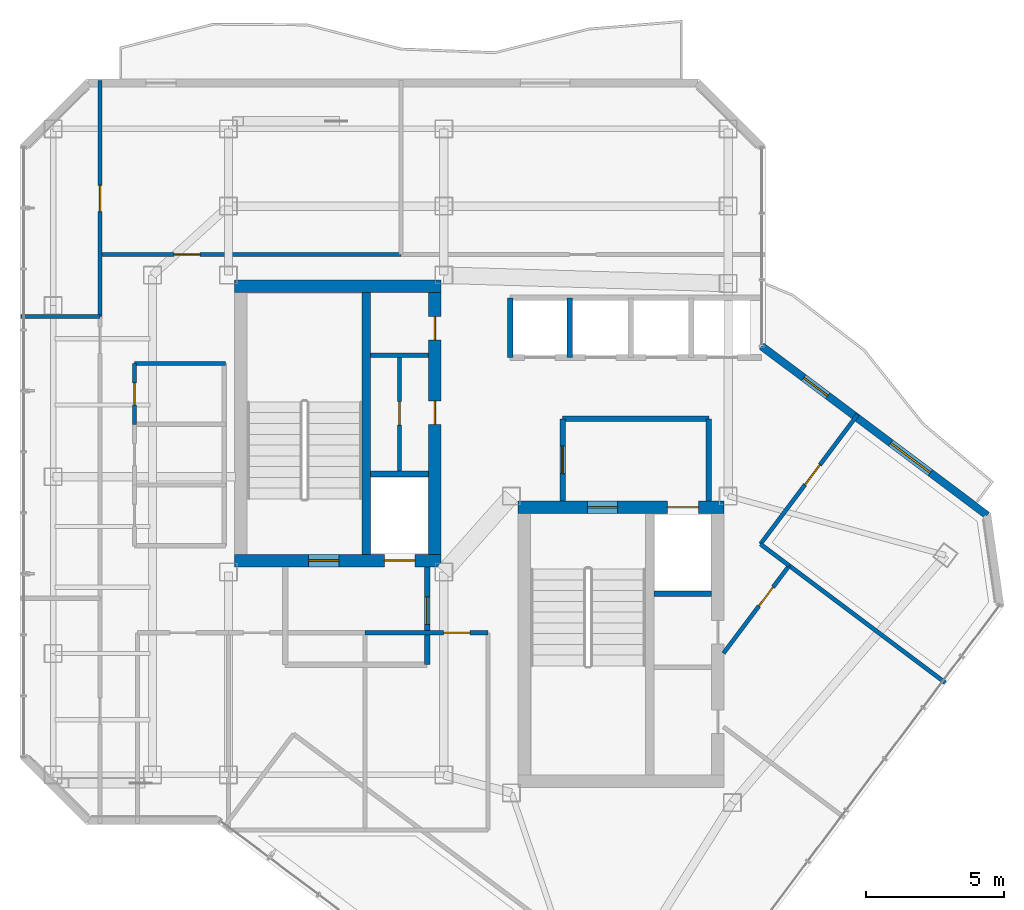
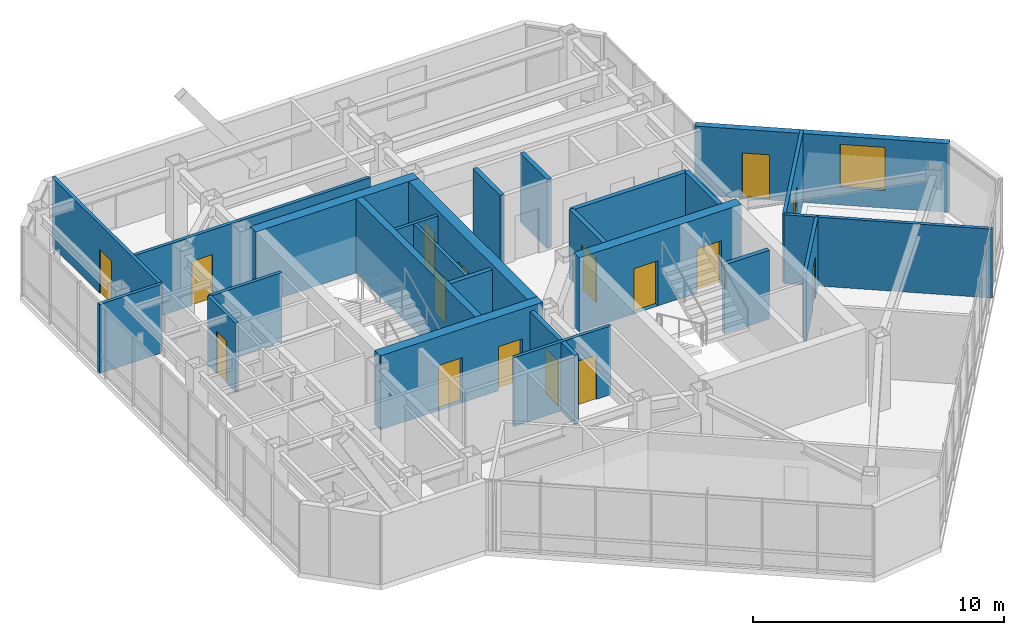
# One storey, part 18 of 22: 26 walls, 16 doors, 1 window, 17 openings.
"""IFC4 building model written with IfcOpenShell, lengths in metres."""

from ifc_helpers import new_model, si_unit, direction, frame, frame_2d, origin, place, context, subcontext, project, spatial, rectangle, extrude, material, layer, layer_set, type_object, element, fill, save


model = new_model("IFC4")

# Units and contexts
model_context = context("Model", 3, precision=1e-05, world=origin(), true_north=direction((0.0, 1.0)))
body_context = subcontext(model_context, "Body", "Model", "MODEL_VIEW")
ifc_project = project(units=[si_unit("LENGTHUNIT", "METRE"), si_unit("AREAUNIT", "SQUARE_METRE"), si_unit("VOLUMEUNIT", "CUBIC_METRE"), si_unit("PLANEANGLEUNIT", "RADIAN"), si_unit("MASSUNIT", "GRAM", prefix="KILO")], contexts=[model_context])

# Site, building, storey
site_placement = place(None, origin())
site = spatial("IfcSite", under=ifc_project, at=site_placement, CompositionType="ELEMENT")
building_placement = place(site_placement, origin())
building = spatial("IfcBuilding", under=site, at=building_placement, Name="Hatsunagi Terrace Concourse", CompositionType="ELEMENT")
storey_placement = place(building_placement, frame((0.0, 0.0, 243.14990234375)))
storey = spatial("IfcBuildingStorey", under=building, at=storey_placement, Name="L64", CompositionType="ELEMENT", Elevation=243.14990234375)

# Wall, openings, doors
ifc_material_1 = material(Name="Concrete Fc42", Category="concrete")
ifc_layer_1 = layer(ifc_material_1, 0.449951171875)
ifc_layer_set_1 = layer_set([ifc_layer_1], Name="CoreShearWall_Fc42_450")
wall_type_1 = type_object("IfcWallType", Name="CoreShearWall_Fc42_450", PredefinedType="SHEAR", material=ifc_layer_set_1)
wall_1_placement = place(storey_placement, frame((25.77001953125, 32.965087890625, 0.0), z_axis=(0.0, 0.0, 1.0), x_axis=(1.0, 0.0, 0.0)))
wall_1 = element("IfcWall", 1, at=wall_1_placement, inside=storey, type_object=wall_type_1, Name="Core A Shear Wall S L64", PredefinedType="SHEAR", context=body_context, shape_type="SweptSolid", body=[
    extrude(rectangle(XDim=7.47998046875, YDim=0.449951171875, at=frame_2d((3.739990234375, 0.0))), origin(), (0.0, 0.0, 1.0), 3.60009765625),
])
opening_1_placement = place(wall_1_placement, frame((2.679931640625, 0.0, 0.0)))
opening_1 = element("IfcOpeningElement", 2, at=opening_1_placement, cuts=wall_1, Name="Opening DR-110S", PredefinedType="OPENING", context=body_context, shape_type="SweptSolid", body=[
    extrude(rectangle(XDim=1.10009765625, YDim=2.199951171875, at=frame_2d((0.550048828125, 1.10009765625))), frame((0.0, 0.23486328125, 0.0), z_axis=(0.0, -1.0, 0.0), x_axis=(1.0, 0.0, 0.0)), (0.0, 0.0, 1.0), 0.469970703125),
])
opening_2_placement = place(wall_1_placement, frame((5.429931640625, 0.0, 0.0)))
opening_2 = element("IfcOpeningElement", 3, at=opening_2_placement, cuts=wall_1, Name="Opening LD-01", PredefinedType="OPENING", context=body_context, shape_type="SweptSolid", body=[
    extrude(rectangle(XDim=1.10009765625, YDim=2.14990234375, at=frame_2d((0.550048828125, 1.074951171875))), frame((0.0, 0.23486328125, 0.0), z_axis=(0.0, -1.0, 0.0), x_axis=(1.0, 0.0, 0.0)), (0.0, 0.0, 1.0), 0.469970703125),
])
ifc_material_2 = material(Name="Stainless steel", Category="steel")
door_type_1 = type_object("IfcDoorType", Name="LiftLandingDoor_LD01", OperationType="SLIDING_TO_LEFT", PredefinedType="USERDEFINED", material=ifc_material_2)
door_1_placement = place(opening_2_placement, origin())
door_1 = element("IfcDoor", 4, at=door_1_placement, inside=storey, type_object=door_type_1, Name="Lift landing door FF-01 L64", ObjectType="SLIDING_LANDING_DOOR", OperationType="SLIDING_TO_LEFT", OverallHeight=2.14990234375, OverallWidth=1.10009765625, PredefinedType="USERDEFINED", context=body_context, shape_type="SweptSolid", body=[
    extrude(rectangle(XDim=1.10009765625, YDim=2.14990234375, at=frame_2d((0.550048828125, 1.074951171875))), frame((0.0, 0.02490234375, 0.0), z_axis=(0.0, -1.0, 0.0), x_axis=(1.0, 0.0, 0.0)), (0.0, 0.0, 1.0), 0.050048828125),
])
fill(opening_2, door_1)
ifc_material_3 = material(Name="Painted steel", Category="steel")
door_type_2 = type_object("IfcDoorType", Name="StairFireDoor_EI60_1100", OperationType="NOTDEFINED", PredefinedType="DOOR", material=ifc_material_3)
door_2_placement = place(opening_1_placement, origin())
door_2 = element("IfcDoor", 5, at=door_2_placement, inside=storey, type_object=door_type_2, Name="Stair ST-A Exit Door L64", OperationType="SINGLE_SWING_LEFT", OverallHeight=2.199951171875, OverallWidth=1.10009765625, PredefinedType="DOOR", context=body_context, shape_type="SweptSolid", body=[
    extrude(rectangle(XDim=1.10009765625, YDim=2.199951171875, at=frame_2d((0.550048828125, 1.10009765625))), frame((0.0, 0.02490234375, 0.0), z_axis=(0.0, -1.0, 0.0), x_axis=(1.0, 0.0, 0.0)), (0.0, 0.0, 1.0), 0.050048828125),
])
fill(opening_1, door_2)

# Wall
wall_2_placement = place(storey_placement, frame((25.77001953125, 42.89501953125, 0.0), z_axis=(0.0, 0.0, 1.0), x_axis=(1.0, 0.0, 0.0)))
element("IfcWall", 6, at=wall_2_placement, inside=storey, type_object=wall_type_1, Name="Core A Shear Wall N L64", PredefinedType="SHEAR", context=body_context, shape_type="SweptSolid", body=[
    extrude(rectangle(XDim=7.47998046875, YDim=0.449951171875, at=frame_2d((3.739990234375, 0.0))), origin(), (0.0, 0.0, 1.0), 3.60009765625),
])

# Wall, openings, doors
wall_3_placement = place(storey_placement, frame((33.02490234375, 33.18994140625, 0.0), z_axis=(0.0, 0.0, 1.0), x_axis=(0.0, 1.0, 0.0)))
wall_3 = element("IfcWall", 7, at=wall_3_placement, inside=storey, type_object=wall_type_1, Name="Core A Shear Wall E L64", PredefinedType="SHEAR", context=body_context, shape_type="SweptSolid", body=[
    extrude(rectangle(XDim=9.47998046875, YDim=0.449951171875, at=frame_2d((4.739990234375, 0.0))), origin(), (0.0, 0.0, 1.0), 3.60009765625),
])
opening_3_placement = place(wall_3_placement, frame((4.7099609375, 0.0, 0.0)))
opening_3 = element("IfcOpeningElement", 8, at=opening_3_placement, cuts=wall_3, Name="Opening DR-085", PredefinedType="OPENING", context=body_context, shape_type="SweptSolid", body=[
    extrude(rectangle(XDim=0.85009765625, YDim=2.080078125, at=frame_2d((0.425048828125, 1.0400390625))), frame((0.0, 0.23486328125, 0.0), z_axis=(0.0, -1.0, 0.0), x_axis=(1.0, 0.0, 0.0)), (0.0, 0.0, 1.0), 0.469970703125),
])
opening_4_placement = place(wall_3_placement, frame((7.760009765625, 0.0, 0.0)))
opening_4 = element("IfcOpeningElement", 9, at=opening_4_placement, cuts=wall_3, Name="Opening DR-085", PredefinedType="OPENING", context=body_context, shape_type="SweptSolid", body=[
    extrude(rectangle(XDim=0.85009765625, YDim=2.080078125, at=frame_2d((0.425048828125, 1.0400390625))), frame((0.0, 0.23486328125, 0.0), z_axis=(0.0, -1.0, 0.0), x_axis=(1.0, 0.0, 0.0)), (0.0, 0.0, 1.0), 0.469970703125),
])
ifc_material_4 = material(Name="Painted steel", Category="steel")
door_type_3 = type_object("IfcDoorType", Name="RiserAccessDoor_EI60_850", OperationType="NOTDEFINED", PredefinedType="DOOR", material=ifc_material_4)
door_3_placement = place(opening_3_placement, origin())
door_3 = element("IfcDoor", 10, at=door_3_placement, inside=storey, type_object=door_type_3, Name="Core A Riser Door L64-1", OperationType="SINGLE_SWING_LEFT", OverallHeight=2.080078125, OverallWidth=0.85009765625, PredefinedType="DOOR", context=body_context, shape_type="SweptSolid", body=[
    extrude(rectangle(XDim=0.85009765625, YDim=2.080078125, at=frame_2d((0.425048828125, 1.0400390625))), frame((0.0, 0.02490234375, 0.0), z_axis=(0.0, -1.0, 0.0), x_axis=(1.0, 0.0, 0.0)), (0.0, 0.0, 1.0), 0.050048828125),
])
fill(opening_3, door_3)
door_4_placement = place(opening_4_placement, origin())
door_4 = element("IfcDoor", 11, at=door_4_placement, inside=storey, type_object=door_type_3, Name="Core A Riser Door L64-2", OperationType="SINGLE_SWING_LEFT", OverallHeight=2.080078125, OverallWidth=0.85009765625, PredefinedType="DOOR", context=body_context, shape_type="SweptSolid", body=[
    extrude(rectangle(XDim=0.85009765625, YDim=2.080078125, at=frame_2d((0.425048828125, 1.0400390625))), frame((0.0, 0.02490234375, 0.0), z_axis=(0.0, -1.0, 0.0), x_axis=(1.0, 0.0, 0.0)), (0.0, 0.0, 1.0), 0.050048828125),
])
fill(opening_4, door_4)

wall_4_placement = place(storey_placement, frame((36.0400390625, 34.89501953125, 0.0), z_axis=(0.0, 0.0, 1.0), x_axis=(1.0, 0.0, 0.0)))
wall_4 = element("IfcWall", 12, at=wall_4_placement, inside=storey, type_object=wall_type_1, Name="Core B Shear Wall N L64", PredefinedType="SHEAR", context=body_context, shape_type="SweptSolid", body=[
    extrude(rectangle(XDim=7.4599609375, YDim=0.449951171875, at=frame_2d((3.72998046875, 0.0))), origin(), (0.0, 0.0, 1.0), 3.60009765625),
])
opening_5_placement = place(wall_4_placement, frame((2.510009765625, 0.0, 0.0)))
opening_5 = element("IfcOpeningElement", 13, at=opening_5_placement, cuts=wall_4, Name="Opening DR-110S", PredefinedType="OPENING", context=body_context, shape_type="SweptSolid", body=[
    extrude(rectangle(XDim=1.10009765625, YDim=2.199951171875, at=frame_2d((0.550048828125, 1.10009765625))), frame((0.0, 0.23486328125, 0.0), z_axis=(0.0, -1.0, 0.0), x_axis=(1.0, 0.0, 0.0)), (0.0, 0.0, 1.0), 0.469970703125),
])
opening_6_placement = place(wall_4_placement, frame((5.409912109375, 0.0, 0.0)))
opening_6 = element("IfcOpeningElement", 14, at=opening_6_placement, cuts=wall_4, Name="Opening LD-02", PredefinedType="OPENING", context=body_context, shape_type="SweptSolid", body=[
    extrude(rectangle(XDim=1.1201171875, YDim=2.14990234375, at=frame_2d((0.56005859375, 1.074951171875))), frame((0.0, 0.23486328125, 0.0), z_axis=(0.0, -1.0, 0.0), x_axis=(1.0, 0.0, 0.0)), (0.0, 0.0, 1.0), 0.469970703125),
])
ifc_material_5 = material(Name="Stainless steel", Category="steel")
door_type_4 = type_object("IfcDoorType", Name="LiftLandingDoor_LD02", OperationType="SLIDING_TO_RIGHT", PredefinedType="USERDEFINED", material=ifc_material_5)
door_5_placement = place(opening_6_placement, origin())
door_5 = element("IfcDoor", 15, at=door_5_placement, inside=storey, type_object=door_type_4, Name="Lift landing door FF-02 L64", ObjectType="SLIDING_LANDING_DOOR", OperationType="SLIDING_TO_RIGHT", OverallHeight=2.14990234375, OverallWidth=1.1201171875, PredefinedType="USERDEFINED", context=body_context, shape_type="SweptSolid", body=[
    extrude(rectangle(XDim=1.1201171875, YDim=2.14990234375, at=frame_2d((0.56005859375, 1.074951171875))), frame((0.0, 0.02490234375, 0.0), z_axis=(0.0, -1.0, 0.0), x_axis=(1.0, 0.0, 0.0)), (0.0, 0.0, 1.0), 0.050048828125),
])
fill(opening_6, door_5)
door_6_placement = place(opening_5_placement, origin())
door_6 = element("IfcDoor", 16, at=door_6_placement, inside=storey, type_object=door_type_2, Name="Stair ST-B Exit Door L64", OperationType="SINGLE_SWING_RIGHT", OverallHeight=2.199951171875, OverallWidth=1.10009765625, PredefinedType="DOOR", context=body_context, shape_type="SweptSolid", body=[
    extrude(rectangle(XDim=1.10009765625, YDim=2.199951171875, at=frame_2d((0.550048828125, 1.10009765625))), frame((0.0, 0.02490234375, 0.0), z_axis=(0.0, -1.0, 0.0), x_axis=(1.0, 0.0, 0.0)), (0.0, 0.0, 1.0), 0.050048828125),
])
fill(opening_5, door_6)

# Wall
ifc_material_6 = material(Name="Concrete Fc48", Category="concrete")
ifc_layer_2 = layer(ifc_material_6, 0.300048828125)
ifc_layer_set_2 = layer_set([ifc_layer_2], Name="CoreStairDivider_Fc48_300")
wall_type_2 = type_object("IfcWallType", Name="CoreStairDivider_Fc48_300", PredefinedType="SHEAR", material=ifc_layer_set_2)
wall_5_placement = place(storey_placement, frame((30.5400390625, 33.18994140625, 0.0), z_axis=(0.0, 0.0, 1.0), x_axis=(0.0, 1.0, 0.0)))
element("IfcWall", 17, at=wall_5_placement, inside=storey, type_object=wall_type_2, Name="Core A Shear Wall D L64", PredefinedType="SHEAR", context=body_context, shape_type="SweptSolid", body=[
    extrude(rectangle(XDim=9.47998046875, YDim=0.300048828125, at=frame_2d((4.739990234375, 0.0))), origin(), (0.0, 0.0, 1.0), 3.60009765625),
])

# Wall, opening, door
ifc_material_7 = material(Name="Acoustic mineral board", Category="gypsum")
ifc_layer_3 = layer(ifc_material_7, 0.14990234375)
ifc_layer_set_3 = layer_set([ifc_layer_3], Name="PartitionWall_EI60_150")
wall_type_3 = type_object("IfcWallType", Name="PartitionWall_EI60_150", PredefinedType="PARTITIONING", material=ifc_layer_set_3)
wall_6_placement = place(storey_placement, frame((31.75, 36.179931640625, 0.0), z_axis=(0.0, 0.0, 1.0), x_axis=(0.0, 1.0, 0.0)))
wall_6 = element("IfcWall", 18, at=wall_6_placement, inside=storey, type_object=wall_type_3, Name="Interior Partition IW-L64-002", PredefinedType="PARTITIONING", context=body_context, shape_type="SweptSolid", body=[
    extrude(rectangle(XDim=4.239990234375, YDim=0.14990234375, at=frame_2d((2.1201171875, 0.0))), origin(), (0.0, 0.0, 1.0), 3.35009765625),
])
opening_7_placement = place(wall_6_placement, frame((1.695068359375, 0.0, 0.0)))
opening_7 = element("IfcOpeningElement", 19, at=opening_7_placement, cuts=wall_6, Name="Opening DR-085", PredefinedType="OPENING", context=body_context, shape_type="SweptSolid", body=[
    extrude(rectangle(XDim=0.85009765625, YDim=2.080078125, at=frame_2d((0.425048828125, 1.0400390625))), frame((0.0, 0.0849609375, 0.0), z_axis=(0.0, -1.0, 0.0), x_axis=(1.0, 0.0, 0.0)), (0.0, 0.0, 1.0), 0.169921875),
])
door_7_placement = place(opening_7_placement, origin())
door_7 = element("IfcDoor", 20, at=door_7_placement, inside=storey, type_object=door_type_3, Name="Core A Sub-Riser Door L64", OperationType="SINGLE_SWING_LEFT", OverallHeight=2.080078125, OverallWidth=0.85009765625, PredefinedType="DOOR", context=body_context, shape_type="SweptSolid", body=[
    extrude(rectangle(XDim=0.85009765625, YDim=2.080078125, at=frame_2d((0.425048828125, 1.0400390625))), frame((0.0, 0.02490234375, 0.0), z_axis=(0.0, -1.0, 0.0), x_axis=(1.0, 0.0, 0.0)), (0.0, 0.0, 1.0), 0.050048828125),
])
fill(opening_7, door_7)

# Walls
wall_7_placement = place(storey_placement, frame((30.699951171875, 40.39990234375, 0.0), z_axis=(0.0, 0.0, 1.0), x_axis=(1.0, 0.0, 0.0)))
element("IfcWall", 21, at=wall_7_placement, inside=storey, type_object=wall_type_3, Name="Interior Partition IW-L64-003", PredefinedType="PARTITIONING", context=body_context, shape_type="SweptSolid", body=[
    extrude(rectangle(XDim=2.10009765625, YDim=0.14990234375, at=frame_2d((1.050048828125, 0.0))), origin(), (0.0, 0.0, 1.0), 3.35009765625),
])
wall_8_placement = place(storey_placement, frame((22.14990234375, 40.10009765625, 0.0), z_axis=(0.0, 0.0, 1.0), x_axis=(1.0, 0.0, 0.0)))
element("IfcWall", 22, at=wall_8_placement, inside=storey, type_object=wall_type_3, Name="Interior Partition IW-L64-019", PredefinedType="PARTITIONING", context=body_context, shape_type="SweptSolid", body=[
    extrude(rectangle(XDim=3.300048828125, YDim=0.14990234375, at=frame_2d((1.64990234375, 0.0))), origin(), (0.0, 0.0, 1.0), 3.35009765625),
])

# Wall, opening, door
wall_9_placement = place(storey_placement, frame((22.14990234375, 37.89990234375, 0.0), z_axis=(0.0, 0.0, 1.0), x_axis=(0.0, 1.0, 0.0)))
wall_9 = element("IfcWall", 23, at=wall_9_placement, inside=storey, type_object=wall_type_3, Name="Interior Partition IW-L64-025", PredefinedType="PARTITIONING", context=body_context, shape_type="SweptSolid", body=[
    extrude(rectangle(XDim=2.2001953125, YDim=0.14990234375, at=frame_2d((1.10009765625, 0.0))), origin(), (0.0, 0.0, 1.0), 3.35009765625),
])
opening_8_placement = place(wall_9_placement, frame((0.699951171875, 0.0, 0.0)))
opening_8 = element("IfcOpeningElement", 24, at=opening_8_placement, cuts=wall_9, Name="Opening DR-080", PredefinedType="OPENING", context=body_context, shape_type="SweptSolid", body=[
    extrude(rectangle(XDim=0.800048828125, YDim=2.06005859375, at=frame_2d((0.39990234375, 1.030029296875))), frame((0.0, 0.0849609375, 0.0), z_axis=(0.0, -1.0, 0.0), x_axis=(1.0, 0.0, 0.0)), (0.0, 0.0, 1.0), 0.169921875),
])
ifc_material_8 = material(Name="Hardwood timber", Category="wood")
door_type_5 = type_object("IfcDoorType", Name="BathroomDoor_800", OperationType="NOTDEFINED", PredefinedType="DOOR", material=ifc_material_8)
door_8_placement = place(opening_8_placement, origin())
door_8 = element("IfcDoor", 25, at=door_8_placement, inside=storey, type_object=door_type_5, Name="Male Restroom Door L64", OperationType="SINGLE_SWING_RIGHT", OverallHeight=2.06005859375, OverallWidth=0.800048828125, PredefinedType="DOOR", context=body_context, shape_type="SweptSolid", body=[
    extrude(rectangle(XDim=0.800048828125, YDim=2.06005859375, at=frame_2d((0.39990234375, 1.030029296875))), frame((0.0, 0.02490234375, 0.0), z_axis=(0.0, -1.0, 0.0), x_axis=(1.0, 0.0, 0.0)), (0.0, 0.0, 1.0), 0.050048828125),
])
fill(opening_8, door_8)

wall_10_placement = place(storey_placement, frame((30.5, 30.35009765625, 0.0), z_axis=(0.0, 0.0, 1.0), x_axis=(1.0, 0.0, 0.0)))
wall_10 = element("IfcWall", 26, at=wall_10_placement, inside=storey, type_object=wall_type_3, Name="Interior Partition IW-L64-031", PredefinedType="PARTITIONING", context=body_context, shape_type="SweptSolid", body=[
    extrude(rectangle(XDim=4.449951171875, YDim=0.14990234375, at=frame_2d((2.22509765625, 0.0))), origin(), (0.0, 0.0, 1.0), 3.35009765625),
])
opening_9_placement = place(wall_10_placement, frame((2.845947265625, 0.0, 0.0)))
opening_9 = element("IfcOpeningElement", 27, at=opening_9_placement, cuts=wall_10, Name="Opening DR-095", PredefinedType="OPENING", context=body_context, shape_type="SweptSolid", body=[
    extrude(rectangle(XDim=0.949951171875, YDim=2.14990234375, at=frame_2d((0.47509765625, 1.074951171875))), frame((0.0, 0.0849609375, 0.0), z_axis=(0.0, -1.0, 0.0), x_axis=(1.0, 0.0, 0.0)), (0.0, 0.0, 1.0), 0.169921875),
])
ifc_material_9 = material(Name="Hardwood timber", Category="wood")
door_type_6 = type_object("IfcDoorType", Name="InteriorSuiteDoor_EI30_950", OperationType="NOTDEFINED", PredefinedType="DOOR", material=ifc_material_9)
door_9_placement = place(opening_9_placement, origin())
door_9 = element("IfcDoor", 28, at=door_9_placement, inside=storey, type_object=door_type_6, Name="Client Consultation Room L64-RECL2 Door", OperationType="SINGLE_SWING_RIGHT", OverallHeight=2.14990234375, OverallWidth=0.949951171875, PredefinedType="DOOR", context=body_context, shape_type="SweptSolid", body=[
    extrude(rectangle(XDim=0.949951171875, YDim=2.14990234375, at=frame_2d((0.47509765625, 1.074951171875))), frame((0.0, 0.02490234375, 0.0), z_axis=(0.0, -1.0, 0.0), x_axis=(1.0, 0.0, 0.0)), (0.0, 0.0, 1.0), 0.050048828125),
])
fill(opening_9, door_9)

# Wall
wall_11_placement = place(storey_placement, frame((18.0400390625, 41.800048828125, 0.0), z_axis=(0.0, 0.0, 1.0), x_axis=(1.0, 0.0, 0.0)))
element("IfcWall", 29, at=wall_11_placement, inside=storey, type_object=wall_type_3, Name="Interior Partition IW-L64-035", PredefinedType="PARTITIONING", context=body_context, shape_type="SweptSolid", body=[
    extrude(rectangle(XDim=2.85986328125, YDim=0.14990234375, at=frame_2d((1.429931640625, 0.0))), origin(), (0.0, 0.0, 1.0), 3.35009765625),
])

# Wall, opening, door
wall_12_placement = place(storey_placement, frame((20.89990234375, 41.800048828125, 0.0), z_axis=(0.0, 0.0, 1.0), x_axis=(0.0, 1.0, 0.0)))
wall_12 = element("IfcWall", 30, at=wall_12_placement, inside=storey, type_object=wall_type_3, Name="Interior Partition IW-L64-037", PredefinedType="PARTITIONING", context=body_context, shape_type="SweptSolid", body=[
    extrude(rectangle(XDim=8.56005859375, YDim=0.14990234375, at=frame_2d((4.280029296875, 0.0))), origin(), (0.0, 0.0, 1.0), 3.35009765625),
])
opening_10_placement = place(wall_12_placement, frame((3.804931640625, 0.0, 0.0)))
opening_10 = element("IfcOpeningElement", 31, at=opening_10_placement, cuts=wall_12, Name="Opening DR-095", PredefinedType="OPENING", context=body_context, shape_type="SweptSolid", body=[
    extrude(rectangle(XDim=0.949951171875, YDim=2.14990234375, at=frame_2d((0.47509765625, 1.074951171875))), frame((0.0, 0.0849609375, 0.0), z_axis=(0.0, -1.0, 0.0), x_axis=(1.0, 0.0, 0.0)), (0.0, 0.0, 1.0), 0.169921875),
])
door_10_placement = place(opening_10_placement, origin())
door_10 = element("IfcDoor", 32, at=door_10_placement, inside=storey, type_object=door_type_6, Name="Design Studio L64-OW3 Door", OperationType="SINGLE_SWING_RIGHT", OverallHeight=2.14990234375, OverallWidth=0.949951171875, PredefinedType="DOOR", context=body_context, shape_type="SweptSolid", body=[
    extrude(rectangle(XDim=0.949951171875, YDim=2.14990234375, at=frame_2d((0.47509765625, 1.074951171875))), frame((0.0, 0.02490234375, 0.0), z_axis=(0.0, -1.0, 0.0), x_axis=(1.0, 0.0, 0.0)), (0.0, 0.0, 1.0), 0.050048828125),
])
fill(opening_10, door_10)

wall_13_placement = place(storey_placement, frame((20.89990234375, 44.050048828125, 0.0), z_axis=(0.0, 0.0, 1.0), x_axis=(1.0, 0.0, 0.0)))
wall_13 = element("IfcWall", 33, at=wall_13_placement, inside=storey, type_object=wall_type_3, Name="Interior Partition IW-L64-038", PredefinedType="PARTITIONING", context=body_context, shape_type="SweptSolid", body=[
    extrude(rectangle(XDim=10.900146484375, YDim=0.14990234375, at=frame_2d((5.4501953125, 0.0))), origin(), (0.0, 0.0, 1.0), 3.35009765625),
])
opening_11_placement = place(wall_13_placement, frame((2.677978515625, 0.0, 0.0)))
opening_11 = element("IfcOpeningElement", 34, at=opening_11_placement, cuts=wall_13, Name="Opening DR-095", PredefinedType="OPENING", context=body_context, shape_type="SweptSolid", body=[
    extrude(rectangle(XDim=0.949951171875, YDim=2.14990234375, at=frame_2d((0.47509765625, 1.074951171875))), frame((0.0, 0.0849609375, 0.0), z_axis=(0.0, -1.0, 0.0), x_axis=(1.0, 0.0, 0.0)), (0.0, 0.0, 1.0), 0.169921875),
])
door_11_placement = place(opening_11_placement, origin())
door_11 = element("IfcDoor", 35, at=door_11_placement, inside=storey, type_object=door_type_6, Name="Boardroom L64-ON1 Door", OperationType="SINGLE_SWING_LEFT", OverallHeight=2.14990234375, OverallWidth=0.949951171875, PredefinedType="DOOR", context=body_context, shape_type="SweptSolid", body=[
    extrude(rectangle(XDim=0.949951171875, YDim=2.14990234375, at=frame_2d((0.47509765625, 1.074951171875))), frame((0.0, 0.02490234375, 0.0), z_axis=(0.0, -1.0, 0.0), x_axis=(1.0, 0.0, 0.0)), (0.0, 0.0, 1.0), 0.050048828125),
])
fill(opening_11, door_11)

# Wall
wall_14_placement = place(storey_placement, frame((45.860107421875, 32.780029296875, 0.0), z_axis=(0.0, 0.0, 1.0), x_axis=(0.799991700537, -0.600011065791, 0.0)))
element("IfcWall", 36, at=wall_14_placement, inside=storey, type_object=wall_type_3, Name="Interior Partition IW-L64-042", PredefinedType="PARTITIONING", context=body_context, shape_type="SweptSolid", body=[
    extrude(rectangle(XDim=7.06005859375, YDim=0.14990234375, at=frame_2d((3.530029296875, 0.0))), origin(), (0.0, 0.0, 1.0), 3.35009765625),
])

# Wall, opening, door
wall_15_placement = place(storey_placement, frame((43.47998046875, 29.60693359375, 0.0), z_axis=(0.0, 0.0, 1.0), x_axis=(0.600049238723, 0.79996306859, 0.0)))
wall_15 = element("IfcWall", 37, at=wall_15_placement, inside=storey, type_object=wall_type_3, Name="Interior Partition IW-L64-043", PredefinedType="PARTITIONING", context=body_context, shape_type="SweptSolid", body=[
    extrude(rectangle(XDim=3.966552734375, YDim=0.14990234375, at=frame_2d((1.9833984375, 0.0))), origin(), (0.0, 0.0, 1.0), 3.35009765625),
])
opening_12_placement = place(wall_15_placement, frame((2.14697265625, 0.0, 0.0)))
opening_12 = element("IfcOpeningElement", 38, at=opening_12_placement, cuts=wall_15, Name="Opening DR-085", PredefinedType="OPENING", context=body_context, shape_type="SweptSolid", body=[
    extrude(rectangle(XDim=0.85009765625, YDim=2.080078125, at=frame_2d((0.425048828125, 1.0400390625))), frame((0.0, 0.0849609375, 0.0), z_axis=(0.0, -1.0, 0.0), x_axis=(1.0, 0.0, 0.0)), (0.0, 0.0, 1.0), 0.169921875),
])
door_12_placement = place(opening_12_placement, origin())
door_12 = element("IfcDoor", 39, at=door_12_placement, inside=storey, type_object=door_type_3, Name="Research Focus Suite L64-OSE1 Door", OperationType="SINGLE_SWING_RIGHT", OverallHeight=2.080078125, OverallWidth=0.85009765625, PredefinedType="DOOR", context=body_context, shape_type="SweptSolid", body=[
    extrude(rectangle(XDim=0.85009765625, YDim=2.080078125, at=frame_2d((0.425048828125, 1.0400390625))), frame((0.0, 0.02490234375, 0.0), z_axis=(0.0, -1.0, 0.0), x_axis=(1.0, 0.0, 0.0)), (0.0, 0.0, 1.0), 0.050048828125),
])
fill(opening_12, door_12)

# Wall
wall_16_placement = place(storey_placement, frame((44.820068359375, 33.56005859375, 0.0), z_axis=(0.0, 0.0, 1.0), x_axis=(0.8, -0.6, 0.0)))
element("IfcWall", 40, at=wall_16_placement, inside=storey, type_object=wall_type_3, Name="Interior Partition IW-L64-044", PredefinedType="PARTITIONING", context=body_context, shape_type="SweptSolid", body=[
    extrude(rectangle(XDim=1.300048828125, YDim=0.14990234375, at=frame_2d((0.64990234375, 0.0))), origin(), (0.0, 0.0, 1.0), 3.35009765625),
])

# Wall, opening, door
wall_17_placement = place(storey_placement, frame((44.820068359375, 33.56005859375, 0.0), z_axis=(0.0, 0.0, 1.0), x_axis=(0.599986667805, 0.800009998972, 0.0)))
wall_17 = element("IfcWall", 41, at=wall_17_placement, inside=storey, type_object=wall_type_3, Name="Interior Partition IW-L64-045", PredefinedType="PARTITIONING", context=body_context, shape_type="SweptSolid", body=[
    extrude(rectangle(XDim=5.85986328125, YDim=0.14990234375, at=frame_2d((2.929931640625, 0.0))), origin(), (0.0, 0.0, 1.0), 3.35009765625),
])
opening_13_placement = place(wall_17_placement, frame((2.68994140625, 0.0, 0.0)))
opening_13 = element("IfcOpeningElement", 42, at=opening_13_placement, cuts=wall_17, Name="Opening DR-090", PredefinedType="OPENING", context=body_context, shape_type="SweptSolid", body=[
    extrude(rectangle(XDim=0.89990234375, YDim=2.14990234375, at=frame_2d((0.449951171875, 1.074951171875))), frame((0.0, 0.0849609375, 0.0), z_axis=(0.0, -1.0, 0.0), x_axis=(1.0, 0.0, 0.0)), (0.0, 0.0, 1.0), 0.169921875),
])
ifc_material_10 = material(Name="Hardwood timber", Category="wood")
door_type_7 = type_object("IfcDoorType", Name="CrownPavilionDoor_EI30_900", OperationType="NOTDEFINED", PredefinedType="DOOR", material=ifc_material_10)
door_13_placement = place(opening_13_placement, origin())
door_13 = element("IfcDoor", 43, at=door_13_placement, inside=storey, type_object=door_type_7, Name="Design Studio L64-OSE2 Door", OperationType="SINGLE_SWING_RIGHT", OverallHeight=2.14990234375, OverallWidth=0.89990234375, PredefinedType="DOOR", context=body_context, shape_type="SweptSolid", body=[
    extrude(rectangle(XDim=0.89990234375, YDim=2.14990234375, at=frame_2d((0.449951171875, 1.074951171875))), frame((0.0, 0.02490234375, 0.0), z_axis=(0.0, -1.0, 0.0), x_axis=(1.0, 0.0, 0.0)), (0.0, 0.0, 1.0), 0.050048828125),
])
fill(opening_13, door_13)

# Walls
ifc_material_11 = material(Name="Acoustic mineral board", Category="gypsum")
ifc_layer_4 = layer(ifc_material_11, 0.199951171875)
ifc_layer_set_4 = layer_set([ifc_layer_4], Name="ShaftWall_EI120_200")
wall_type_4 = type_object("IfcWallType", Name="ShaftWall_EI120_200", PredefinedType="STANDARD", material=ifc_layer_set_4)
wall_18_placement = place(storey_placement, frame((30.699951171875, 36.10009765625, 0.0), z_axis=(0.0, 0.0, 1.0), x_axis=(1.0, 0.0, 0.0)))
element("IfcWall", 44, at=wall_18_placement, inside=storey, type_object=wall_type_4, Name="Interior Partition IW-L64-001", PredefinedType="STANDARD", context=body_context, shape_type="SweptSolid", body=[
    extrude(rectangle(XDim=2.10009765625, YDim=0.199951171875, at=frame_2d((1.050048828125, 0.0))), origin(), (0.0, 0.0, 1.0), 3.35009765625),
])
wall_19_placement = place(storey_placement, frame((40.969970703125, 31.760009765625, 0.0), z_axis=(0.0, 0.0, 1.0), x_axis=(1.0, 0.0, 0.0)))
element("IfcWall", 45, at=wall_19_placement, inside=storey, type_object=wall_type_4, Name="Interior Partition IW-L64-004", PredefinedType="STANDARD", context=body_context, shape_type="SweptSolid", body=[
    extrude(rectangle(XDim=2.080078125, YDim=0.199951171875, at=frame_2d((1.0400390625, 0.0))), origin(), (0.0, 0.0, 1.0), 3.35009765625),
])

# Wall, opening, door
wall_20_placement = place(storey_placement, frame((32.75, 29.199951171875, 0.0), z_axis=(0.0, 0.0, 1.0), x_axis=(0.0, 1.0, 0.0)))
wall_20 = element("IfcWall", 46, at=wall_20_placement, inside=storey, type_object=wall_type_4, Name="Interior Partition IW-L64-008", PredefinedType="STANDARD", context=body_context, shape_type="SweptSolid", body=[
    extrude(rectangle(XDim=3.5400390625, YDim=0.199951171875, at=frame_2d((1.77001953125, 0.0))), origin(), (0.0, 0.0, 1.0), 3.35009765625),
])
opening_14_placement = place(wall_20_placement, frame((1.449951171875, 0.0, 0.0)))
opening_14 = element("IfcOpeningElement", 47, at=opening_14_placement, cuts=wall_20, Name="Opening DR-100F", PredefinedType="OPENING", context=body_context, shape_type="SweptSolid", body=[
    extrude(rectangle(XDim=1.0, YDim=2.199951171875, at=frame_2d((0.5, 1.10009765625))), frame((0.0, 0.10986328125, 0.0), z_axis=(0.0, -1.0, 0.0), x_axis=(1.0, 0.0, 0.0)), (0.0, 0.0, 1.0), 0.219970703125),
])
ifc_material_12 = material(Name="Painted steel", Category="steel")
door_type_8 = type_object("IfcDoorType", Name="FireDoor_EI60_1000", OperationType="NOTDEFINED", PredefinedType="DOOR", material=ifc_material_12)
door_14_placement = place(opening_14_placement, origin())
door_14 = element("IfcDoor", 48, at=door_14_placement, inside=storey, type_object=door_type_8, Name="Firefighting Lobby A Door L64", OperationType="SINGLE_SWING_RIGHT", OverallHeight=2.199951171875, OverallWidth=1.0, PredefinedType="DOOR", context=body_context, shape_type="SweptSolid", body=[
    extrude(rectangle(XDim=1.0, YDim=2.199951171875, at=frame_2d((0.5, 1.10009765625))), frame((0.0, 0.02490234375, 0.0), z_axis=(0.0, -1.0, 0.0), x_axis=(1.0, 0.0, 0.0)), (0.0, 0.0, 1.0), 0.050048828125),
])
fill(opening_14, door_14)

# Walls
wall_21_placement = place(storey_placement, frame((37.64990234375, 38.10009765625, 0.0), z_axis=(0.0, 0.0, 1.0), x_axis=(1.0, 0.0, 0.0)))
element("IfcWall", 49, at=wall_21_placement, inside=storey, type_object=wall_type_4, Name="Interior Partition IW-L64-009", PredefinedType="STANDARD", context=body_context, shape_type="SweptSolid", body=[
    extrude(rectangle(XDim=5.300048828125, YDim=0.199951171875, at=frame_2d((2.64990234375, 0.0))), origin(), (0.0, 0.0, 1.0), 3.35009765625),
])
wall_22_placement = place(storey_placement, frame((42.949951171875, 35.1201171875, 0.0), z_axis=(0.0, 0.0, 1.0), x_axis=(0.0, 1.0, 0.0)))
element("IfcWall", 50, at=wall_22_placement, inside=storey, type_object=wall_type_4, Name="Interior Partition IW-L64-010", PredefinedType="STANDARD", context=body_context, shape_type="SweptSolid", body=[
    extrude(rectangle(XDim=2.97998046875, YDim=0.199951171875, at=frame_2d((1.489990234375, 0.0))), origin(), (0.0, 0.0, 1.0), 3.35009765625),
])

# Wall, opening, door
wall_23_placement = place(storey_placement, frame((37.64990234375, 35.1201171875, 0.0), z_axis=(0.0, 0.0, 1.0), x_axis=(0.0, 1.0, 0.0)))
wall_23 = element("IfcWall", 51, at=wall_23_placement, inside=storey, type_object=wall_type_4, Name="Interior Partition IW-L64-011", PredefinedType="STANDARD", context=body_context, shape_type="SweptSolid", body=[
    extrude(rectangle(XDim=2.97998046875, YDim=0.199951171875, at=frame_2d((1.489990234375, 0.0))), origin(), (0.0, 0.0, 1.0), 3.35009765625),
])
opening_15_placement = place(wall_23_placement, frame((0.989990234375, 0.0, 0.0)))
opening_15 = element("IfcOpeningElement", 52, at=opening_15_placement, cuts=wall_23, Name="Opening DR-100F", PredefinedType="OPENING", context=body_context, shape_type="SweptSolid", body=[
    extrude(rectangle(XDim=1.0, YDim=2.199951171875, at=frame_2d((0.5, 1.10009765625))), frame((0.0, 0.10986328125, 0.0), z_axis=(0.0, -1.0, 0.0), x_axis=(1.0, 0.0, 0.0)), (0.0, 0.0, 1.0), 0.219970703125),
])
door_15_placement = place(opening_15_placement, origin())
door_15 = element("IfcDoor", 53, at=door_15_placement, inside=storey, type_object=door_type_8, Name="Firefighting Lobby B Door L64", OperationType="SINGLE_SWING_RIGHT", OverallHeight=2.199951171875, OverallWidth=1.0, PredefinedType="DOOR", context=body_context, shape_type="SweptSolid", body=[
    extrude(rectangle(XDim=1.0, YDim=2.199951171875, at=frame_2d((0.5, 1.10009765625))), frame((0.0, 0.02490234375, 0.0), z_axis=(0.0, -1.0, 0.0), x_axis=(1.0, 0.0, 0.0)), (0.0, 0.0, 1.0), 0.050048828125),
])
fill(opening_15, door_15)

# Walls
for number, where, z_axis, x_axis, name in (
    (54, (35.75, 40.320068359375, 0.0), (0.0, 0.0, 1.0), (0.0, 1.0, 0.0), "Interior Partition IW-L64-013"),
    (55, (37.919921875, 40.320068359375, 0.0), (0.0, 0.0, 1.0), (0.0, 1.0, 0.0), "Interior Partition IW-L64-014"),
):
    element("IfcWall", number, at=place(storey_placement, frame(where, z_axis=z_axis, x_axis=x_axis)), inside=storey, type_object=wall_type_4, Name=name, PredefinedType="STANDARD", context=body_context, shape_type="SweptSolid", body=[
        extrude(rectangle(XDim=2.159912109375, YDim=0.199951171875, at=frame_2d((1.080078125, 0.0))), origin(), (0.0, 0.0, 1.0), 3.35009765625),
    ])

# Wall, openings, door, window
ifc_material_13 = material(Name="Autoclaved Lightweight Concrete and Terracotta Cladding", Category="masonry")
ifc_layer_5 = layer(ifc_material_13, 0.280029296875)
ifc_layer_set_5 = layer_set([ifc_layer_5], Name="TerracottaSpandrelWall_280")
wall_type_5 = type_object("IfcWallType", Name="TerracottaSpandrelWall_280", PredefinedType="STANDARD", material=ifc_layer_set_5)
wall_24_placement = place(storey_placement, frame((44.860107421875, 40.72998046875, 0.0), z_axis=(0.0, 0.0, 1.0), x_axis=(0.800022950109, -0.599969398635, 0.0)))
wall_24 = element("IfcWall", 56, at=wall_24_placement, inside=storey, type_object=wall_type_5, Name="Exterior Spandrel Wall EW-L64-01", PredefinedType="STANDARD", context=body_context, shape_type="SweptSolid", body=[
    extrude(rectangle(XDim=10.212158203125, YDim=0.280029296875, at=frame_2d((5.10595703125, 0.0))), origin(), (0.0, 0.0, 1.0), 3.35009765625),
])
opening_16_placement = place(wall_24_placement, frame((1.90087890625, 0.0, 0.0)))
opening_16 = element("IfcOpeningElement", 57, at=opening_16_placement, cuts=wall_24, Name="Opening BD-01", PredefinedType="OPENING", context=body_context, shape_type="SweptSolid", body=[
    extrude(rectangle(XDim=1.10009765625, YDim=2.199951171875, at=frame_2d((0.550048828125, 1.10009765625))), frame((0.0, 0.14990234375, 0.0), z_axis=(0.0, -1.0, 0.0), x_axis=(1.0, 0.0, 0.0)), (0.0, 0.0, 1.0), 0.300048828125),
])
opening_17_placement = place(wall_24_placement, frame((5.840087890625, 0.0, 0.85009765625)))
opening_17 = element("IfcOpeningElement", 58, at=opening_17_placement, cuts=wall_24, Name="Opening WIN-03", PredefinedType="OPENING", context=body_context, shape_type="SweptSolid", body=[
    extrude(rectangle(XDim=1.800048828125, YDim=2.10009765625, at=frame_2d((0.89990234375, 1.050048828125))), frame((0.0, 0.14990234375, 0.0), z_axis=(0.0, -1.0, 0.0), x_axis=(1.0, 0.0, 0.0)), (0.0, 0.0, 1.0), 0.300048828125),
])
ifc_material_14 = material(Name="Galvanised Steel and Laminated Safety Glass", Category="steel")
door_type_9 = type_object("IfcDoorType", Name="BalconyTerraceAccessDoor_1100x2200", OperationType="SINGLE_SWING_LEFT", PredefinedType="DOOR", material=ifc_material_14)
door_16_placement = place(opening_16_placement, origin())
door_16 = element("IfcDoor", 59, at=door_16_placement, inside=storey, type_object=door_type_9, Name="Engawa Balcony Door L64-BSE", OperationType="SINGLE_SWING_LEFT", OverallHeight=2.199951171875, OverallWidth=1.10009765625, PredefinedType="DOOR", context=body_context, shape_type="SweptSolid", body=[
    extrude(rectangle(XDim=1.10009765625, YDim=2.199951171875, at=frame_2d((0.550048828125, 1.10009765625))), frame((0.0, 0.02490234375, 0.0), z_axis=(0.0, -1.0, 0.0), x_axis=(1.0, 0.0, 0.0)), (0.0, 0.0, 1.0), 0.050048828125),
])
fill(opening_16, door_16)
ifc_material_15 = material(Name="Thermally Broken Aluminium and Low-E Triple Glazing", Category="aluminium")
window_type = type_object("IfcWindowType", Name="OfficeCornerFeatureWindow_1800x2100", PartitioningType="SINGLE_PANEL", PredefinedType="WINDOW", material=ifc_material_15)
window_placement = place(opening_17_placement, origin())
window = element("IfcWindow", 60, at=window_placement, inside=storey, type_object=window_type, Name="Balcony Daylighting Window L64-01-1", OverallHeight=2.10009765625, OverallWidth=1.800048828125, PartitioningType="SINGLE_PANEL", PredefinedType="WINDOW", context=body_context, shape_type="SweptSolid", body=[
    extrude(rectangle(XDim=1.800048828125, YDim=2.10009765625, at=frame_2d((0.89990234375, 1.050048828125))), frame((0.0, 0.030029296875, 0.0), z_axis=(0.0, -1.0, 0.0), x_axis=(1.0, 0.0, 0.0)), (0.0, 0.0, 1.0), 0.06005859375),
])
fill(opening_17, window)

save(model, "model.ifc")
